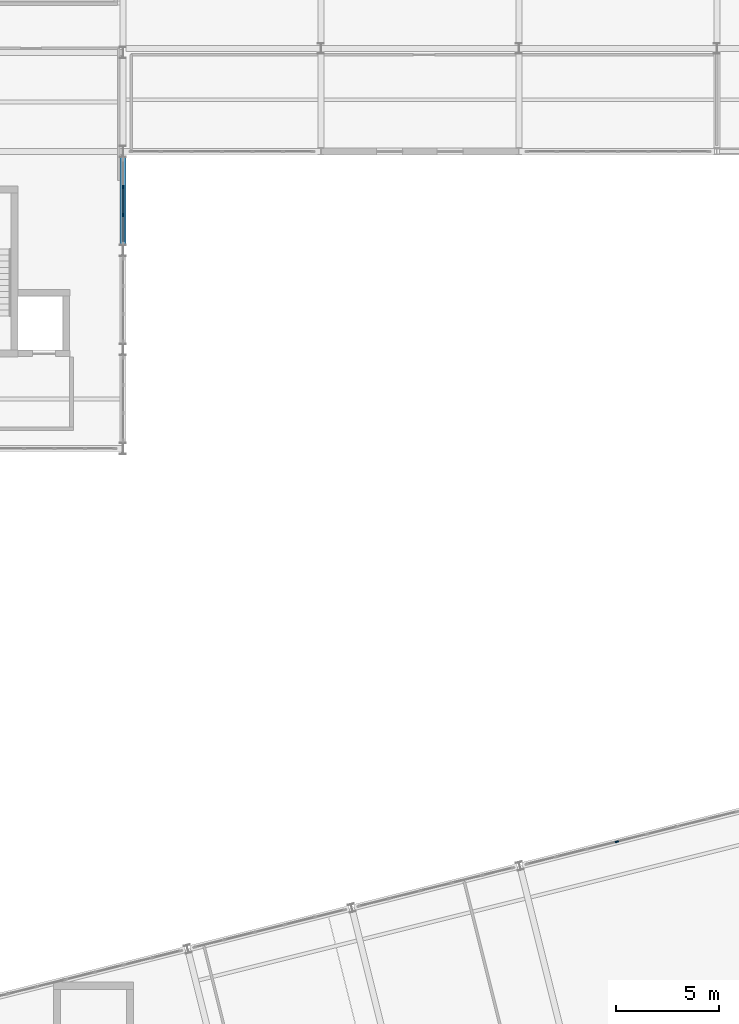
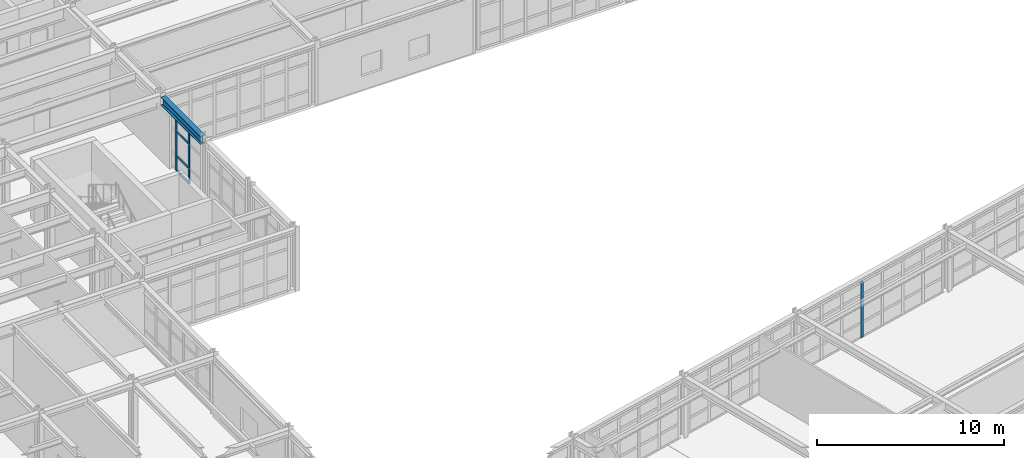
# One storey, part 28 of 76: 8 members, 1 beam, 2 elements without a shape of their own.
"""IFC4 building model written with IfcOpenShell, lengths in metres."""

from ifc_helpers import new_model, si_unit, direction, frame, origin, origin_2d, place, context, subcontext, project, spatial, rectangle, i_section, extrude, material, layer, layer_set, material_profile, profile_set, type_object, element, aggregate, save


model = new_model("IFC4")

# Units and contexts
model_context = context("Model", 3, precision=1e-05, world=origin(), true_north=direction((0.0, 1.0)))
body_context = subcontext(model_context, "Body", "Model", "MODEL_VIEW")
ifc_project = project(units=[si_unit("LENGTHUNIT", "METRE"), si_unit("AREAUNIT", "SQUARE_METRE"), si_unit("VOLUMEUNIT", "CUBIC_METRE"), si_unit("PLANEANGLEUNIT", "RADIAN"), si_unit("MASSUNIT", "GRAM", prefix="KILO")], contexts=[model_context])

# Site, building, storey
site_placement = place(None, origin())
site = spatial("IfcSite", under=ifc_project, at=site_placement, CompositionType="ELEMENT")
building_placement = place(site_placement, origin())
building = spatial("IfcBuilding", under=site, at=building_placement, Name="Nordkorset Police Headquarters", CompositionType="ELEMENT")
storey_placement = place(building_placement, frame((0.0, 0.0, 13.64990234375)))
storey = spatial("IfcBuildingStorey", under=building, at=storey_placement, Name="L03", CompositionType="ELEMENT", Elevation=13.64990234375)

# Curtain wall, members
ifc_material_1 = material(Name="Aluminium alloy AW-6060", Category="aluminium")
ifc_layer_1 = layer(ifc_material_1, 0.179931640625, Name="Aluminium alloy AW-6060")
ifc_layer_set_1 = layer_set([ifc_layer_1], Name="Aluminium alloy AW-6060")
curtain_wall_type_1 = type_object("IfcCurtainWallType", Name="CW_Unit_408x342", PredefinedType="USERDEFINED", material=ifc_layer_set_1)
curtain_wall_1_placement = place(storey_placement, origin())
curtain_wall_1 = element("IfcCurtainWall", 1, at=curtain_wall_1_placement, inside=storey, type_object=curtain_wall_type_1, Name="Unitised Curtain Wall L03 V1E-2", ObjectType="UNITISED CURTAIN WALL", PredefinedType="USERDEFINED")
ifc_material_2 = material(Name="Aluminium alloy AW-6060", Category="aluminium")
ifc_material_profile_1 = material_profile(ifc_material_2, rectangle(XDim=0.06494140625, YDim=0.179931640625, at=origin_2d()), Name="ALU MULL 65x180")
ifc_profile_set_1 = profile_set([ifc_material_profile_1], Name="Aluminium alloy AW-6060")
member_type_1 = type_object("IfcMemberType", Name="CW_Mullion_65x180", PredefinedType="MULLION", material=ifc_profile_set_1)
member_1_placement = place(storey_placement, frame((28.800048828125, 94.52001953125, 0.0), z_axis=(0.0, 0.0, 1.0), x_axis=(-1.0, 0.0, 0.0)))
member_1 = element("IfcMember", 2, at=member_1_placement, type_object=member_type_1, Name="CW-72 mullion 2", PredefinedType="MULLION", context=body_context, shape_type="SweptSolid", body=[
    extrude(rectangle(XDim=0.06494140625, YDim=0.179931640625, at=origin_2d()), origin(), (0.0, 0.0, 1.0), 3.420166015625),
])
member_2_placement = place(storey_placement, frame((28.800048828125, 95.8798828125, 0.0), z_axis=(0.0, 0.0, 1.0), x_axis=(-1.0, 0.0, 0.0)))
member_2 = element("IfcMember", 3, at=member_2_placement, type_object=member_type_1, Name="CW-72 mullion 3", PredefinedType="MULLION", context=body_context, shape_type="SweptSolid", body=[
    extrude(rectangle(XDim=0.06494140625, YDim=0.179931640625, at=origin_2d()), origin(), (0.0, 0.0, 1.0), 3.420166015625),
])

# Curtain wall, member
ifc_material_3 = material(Name="Aluminium alloy AW-6060", Category="aluminium")
ifc_layer_2 = layer(ifc_material_3, 0.179931640625, Name="Aluminium alloy AW-6060")
ifc_layer_set_2 = layer_set([ifc_layer_2], Name="Aluminium alloy AW-6060")
curtain_wall_type_2 = type_object("IfcCurtainWallType", Name="CW_Unit_1056x365", PredefinedType="USERDEFINED", material=ifc_layer_set_2)
curtain_wall_2_placement = place(storey_placement, origin())
curtain_wall_2 = element("IfcCurtainWall", 4, at=curtain_wall_2_placement, inside=storey, type_object=curtain_wall_type_2, Name="Unitised Curtain Wall L03 V4N-3", ObjectType="UNITISED CURTAIN WALL", PredefinedType="USERDEFINED")
member_3_placement = place(storey_placement, frame((52.74853515625, 64.13037109375, 0.0), z_axis=(0.0, 0.0, 1.0), x_axis=(-0.242536070676, 0.970142388735, 0.0)))
member_3 = element("IfcMember", 5, at=member_3_placement, type_object=member_type_1, Name="CW-11 mullion 4", PredefinedType="MULLION", context=body_context, shape_type="SweptSolid", body=[
    extrude(rectangle(XDim=0.06494140625, YDim=0.179931640625, at=origin_2d()), origin(), (0.0, 0.0, 1.0), 3.650146484375),
])
aggregate(curtain_wall_2, [member_3])

# Member
ifc_material_4 = material(Name="Aluminium alloy AW-6060", Category="aluminium")
ifc_material_profile_2 = material_profile(ifc_material_4, rectangle(XDim=0.06494140625, YDim=0.139892578125, at=origin_2d()), Name="ALU TRAN 65x140")
ifc_profile_set_2 = profile_set([ifc_material_profile_2], Name="Aluminium alloy AW-6060")
member_type_2 = type_object("IfcMemberType", Name="CW_Transom_65x140", PredefinedType="USERDEFINED", material=ifc_profile_set_2)
member_4_placement = place(storey_placement, frame((28.800048828125, 93.22509765625, 3.3876953125), z_axis=(0.0, 1.0, 0.0), x_axis=(-1.0, 0.0, 0.0)))
member_4 = element("IfcMember", 6, at=member_4_placement, type_object=member_type_2, Name="CW-72 transom 1.4", ObjectType="TRANSOM", PredefinedType="USERDEFINED", context=body_context, shape_type="SweptSolid", body=[
    extrude(rectangle(XDim=0.06494140625, YDim=0.139892578125, at=origin_2d()), origin(), (0.0, 0.0, 1.0), 1.262451171875),
])

member_5_placement = place(storey_placement, frame((28.800048828125, 94.552490234375, 0.03271484375), z_axis=(0.0, 1.0, 0.0), x_axis=(-1.0, 0.0, 0.0)))
member_5 = element("IfcMember", 7, at=member_5_placement, type_object=member_type_2, Name="CW-72 transom 2.1", ObjectType="TRANSOM", PredefinedType="USERDEFINED", context=body_context, shape_type="SweptSolid", body=[
    extrude(rectangle(XDim=0.06494140625, YDim=0.139892578125, at=origin_2d()), origin(), (0.0, 0.0, 1.0), 1.294921875),
])

member_6_placement = place(storey_placement, frame((28.800048828125, 94.552490234375, 1.0), z_axis=(0.0, 1.0, 0.0), x_axis=(-1.0, 0.0, 0.0)))
member_6 = element("IfcMember", 8, at=member_6_placement, type_object=member_type_2, Name="CW-72 transom 2.2", ObjectType="TRANSOM", PredefinedType="USERDEFINED", context=body_context, shape_type="SweptSolid", body=[
    extrude(rectangle(XDim=0.06494140625, YDim=0.139892578125, at=origin_2d()), origin(), (0.0, 0.0, 1.0), 1.294921875),
])

member_7_placement = place(storey_placement, frame((28.800048828125, 94.552490234375, 2.570068359375), z_axis=(0.0, 1.0, 0.0), x_axis=(-1.0, 0.0, 0.0)))
member_7 = element("IfcMember", 9, at=member_7_placement, type_object=member_type_2, Name="CW-72 transom 2.3", ObjectType="TRANSOM", PredefinedType="USERDEFINED", context=body_context, shape_type="SweptSolid", body=[
    extrude(rectangle(XDim=0.06494140625, YDim=0.139892578125, at=origin_2d()), origin(), (0.0, 0.0, 1.0), 1.294921875),
])

member_8_placement = place(storey_placement, frame((28.800048828125, 94.552490234375, 3.3876953125), z_axis=(0.0, 1.0, 0.0), x_axis=(-1.0, 0.0, 0.0)))
member_8 = element("IfcMember", 10, at=member_8_placement, type_object=member_type_2, Name="CW-72 transom 2.4", ObjectType="TRANSOM", PredefinedType="USERDEFINED", context=body_context, shape_type="SweptSolid", body=[
    extrude(rectangle(XDim=0.06494140625, YDim=0.139892578125, at=origin_2d()), origin(), (0.0, 0.0, 1.0), 1.294921875),
])

aggregate(curtain_wall_1, [member_1, member_2, member_4, member_5, member_6, member_7, member_8])

# Beam
ifc_material_5 = material(Name="Steel S355J2", Category="steel")
ifc_material_profile_3 = material_profile(ifc_material_5, i_section(OverallWidth=0.300048828125, OverallDepth=0.5400390625, WebThickness=0.012451171875, FlangeThickness=0.02392578125, FilletRadius=0.027099609375, at=origin_2d()), Name="HEA 550")
ifc_profile_set_3 = profile_set([ifc_material_profile_3], Name="Steel S355J2")
beam_type = type_object("IfcBeamType", Name="Girder_HEA_550", PredefinedType="USERDEFINED", material=ifc_profile_set_3)
beam_placement = place(storey_placement, frame((28.800048828125, 93.074951171875, 3.710205078125), z_axis=(0.0, 1.0, 0.0), x_axis=(-1.0, 0.0, 0.0)))
element("IfcBeam", 11, at=beam_placement, inside=storey, type_object=beam_type, Name="Girder V1 L03 GY-2-2", ObjectType="GIRDER", PredefinedType="USERDEFINED", context=body_context, shape_type="SweptSolid", body=[
    extrude(i_section(OverallWidth=0.300048828125, OverallDepth=0.5400390625, WebThickness=0.012451171875, FlangeThickness=0.02392578125, FilletRadius=0.027099609375, at=origin_2d()), origin(), (0.0, 0.0, 1.0), 4.25),
])

save(model, "model.ifc")
